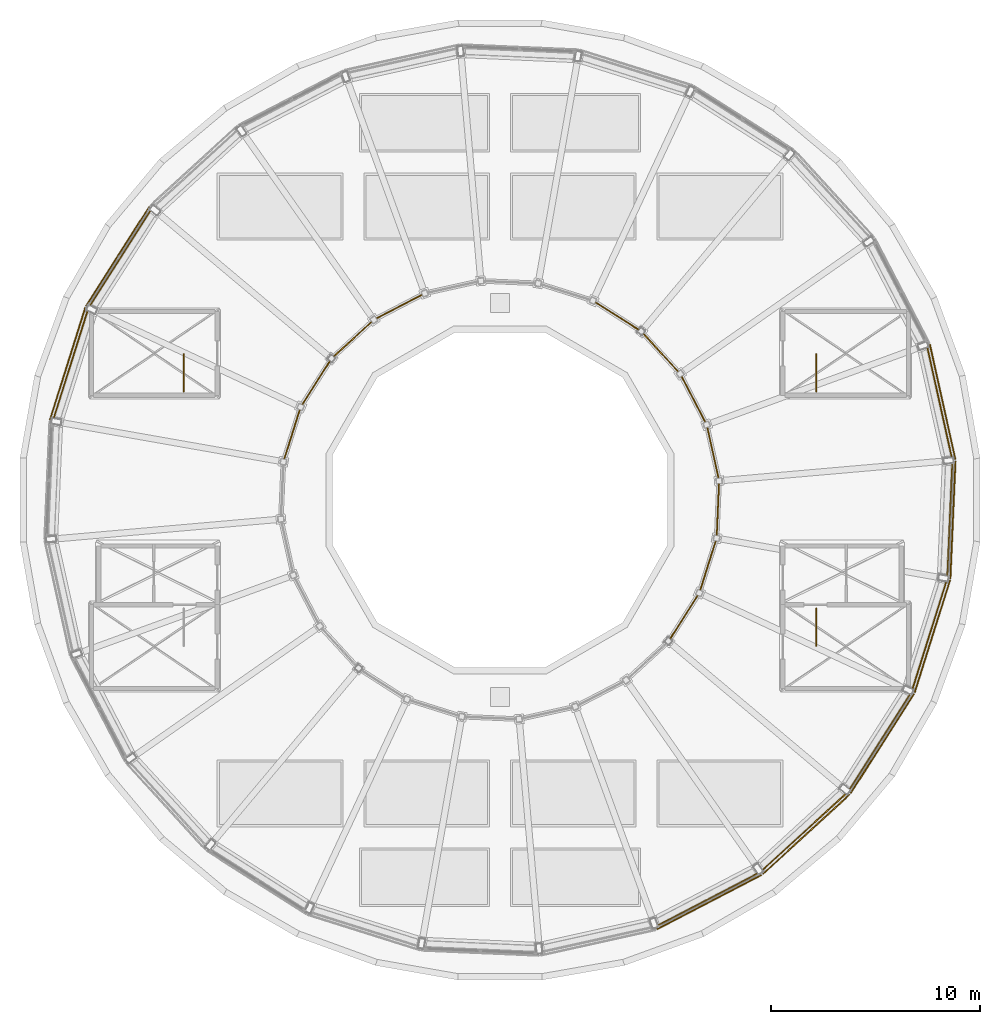
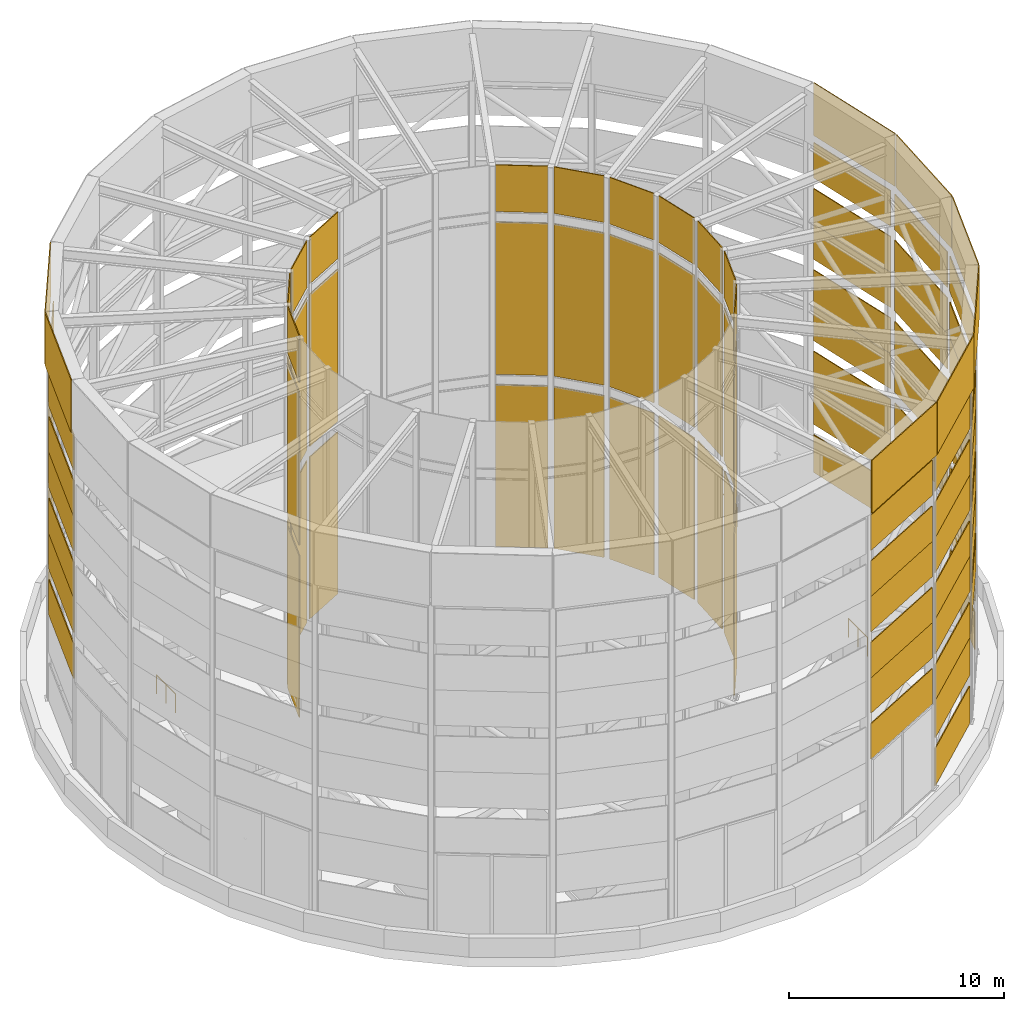
# One storey, part 18 of 20: 87 shading devices, 8 coverings, 3 railings.
"""IFC4 building model written with IfcOpenShell, lengths in metres."""

from ifc_helpers import new_model, si_unit, direction, frame, origin, origin_2d, place, context, subcontext, project, spatial, rectangle, circle, extrude, material, layer, layer_set, type_object, element, save


model = new_model("IFC4")

# Units and contexts
model_context = context("Model", 3, precision=1e-05, world=origin(), true_north=direction((0.0, 1.0)))
body_context = subcontext(model_context, "Body", "Model", "MODEL_VIEW")
ifc_project = project(units=[si_unit("LENGTHUNIT", "METRE"), si_unit("AREAUNIT", "SQUARE_METRE"), si_unit("VOLUMEUNIT", "CUBIC_METRE"), si_unit("PLANEANGLEUNIT", "RADIAN"), si_unit("MASSUNIT", "GRAM", prefix="KILO")], contexts=[model_context])

# Site, building, storey
site_placement = place(None, origin())
site = spatial("IfcSite", under=ifc_project, at=site_placement, CompositionType="ELEMENT")
building_placement = place(site_placement, origin())
building = spatial("IfcBuilding", under=site, at=building_placement, Name="Saqina Gate Tower", CompositionType="ELEMENT")
storey_placement = place(building_placement, frame((0.0, 0.0, 284.199951171875)))
storey = spatial("IfcBuildingStorey", under=building, at=storey_placement, Name="RF", CompositionType="ELEMENT", Elevation=284.199951171875)

# Coverings
ifc_material_1 = material(Name="Glazed ceramic tile", Category="ceramic")
ifc_layer_1 = layer(ifc_material_1, 0.0400390625)
ifc_layer_set_1 = layer_set([ifc_layer_1], Name="CLAD-TILE")
covering_type = type_object("IfcCoveringType", Name="CLAD-TILE", PredefinedType="CLADDING", material=ifc_layer_set_1)
for number, where, z_axis, x_axis, name in (
    (1, (21.128173828125, 4.68408203125, 19.0), (0.0, 0.0, 1.0), (-0.216439613938, 0.97629600712, 0.0), "Crown cap cladding 1"),
    (2, (-18.251953125, 11.627685546875, 19.0), (0.0, 0.0, 1.0), (-0.537299608347, -0.843391445813, 0.0), "Crown cap cladding 10"),
    (3, (-20.639404296875, 6.507568359375, 19.0), (0.0, 0.0, 1.0), (-0.300705799504, -0.953716950748, 0.0), "Crown cap cladding 11"),
    (4, (9.99267578125, -19.19580078125, 19.0), (0.0, 0.0, 1.0), (0.887010833178, 0.461748613235, 0.0), "Crown cap cladding 20"),
    (5, (14.62060546875, -15.95556640625, 19.0), (0.0, 0.0, 1.0), (0.73727733681, 0.675590207616, 0.0), "Crown cap cladding 21"),
    (6, (18.251953125, -11.627685546875, 19.0), (0.0, 0.0, 1.0), (0.537299608347, 0.843391445813, 0.0), "Crown cap cladding 22"),
    (7, (20.639404296875, -6.507568359375, 19.0), (0.0, 0.0, 1.0), (0.300705799504, 0.953716950748, 0.0), "Crown cap cladding 23"),
    (8, (21.62060546875, -0.944091796875, 19.0), (0.0, 0.0, 1.0), (0.043619387365, 0.999048221582, 0.0), "Crown cap cladding 24"),
):
    element("IfcCovering", number, at=place(storey_placement, frame(where, z_axis=z_axis, x_axis=x_axis)), inside=storey, type_object=covering_type, Name=name, PredefinedType="CLADDING", context=body_context, shape_type="SweptSolid", body=[
        extrude(rectangle(XDim=5.612548828125, YDim=0.050048828125, at=origin_2d()), origin(), (0.0, 0.0, 1.0), 3.0),
    ])

# Shading devices
ifc_material_2 = material(Name="Glazed ceramic tile", Category="ceramic")
ifc_layer_2 = layer(ifc_material_2, 0.050048828125)
ifc_layer_set_2 = layer_set([ifc_layer_2], Name="SCREEN-TILE")
shading_device_type_1 = type_object("IfcShadingDeviceType", Name="SCREEN-TILE", PredefinedType="JALOUSIE", material=ifc_layer_set_2)
shading_device_1_placement = place(storey_placement, frame((20.981689453125, 4.651611328125, 0.0), z_axis=(0.0, 0.0, 1.0), x_axis=(-0.216439613938, 0.97629600712, 0.0)))
element("IfcShadingDevice", 9, at=shading_device_1_placement, inside=storey, type_object=shading_device_type_1, Name="Crown screen O1a.1", PredefinedType="JALOUSIE", context=body_context, shape_type="SweptSolid", body=[
    extrude(rectangle(XDim=5.310546875, YDim=0.050048828125, at=origin_2d()), origin(), (0.0, 0.0, 1.0), 2.137451171875),
])
for number, where, z_axis, x_axis, name in (
    (10, (20.981689453125, 4.651611328125, 7.48779296875), (0.0, 0.0, 1.0), (-0.216439613938, 0.97629600712, 0.0), "Crown screen O2b.1"),
    (11, (20.981689453125, 4.651611328125, 9.5), (0.0, 0.0, 1.0), (-0.216439613938, 0.97629600712, 0.0), "Crown screen O3a.1"),
    (12, (20.981689453125, 4.651611328125, 16.73779296875), (0.0, 0.0, 1.0), (-0.216439613938, 0.97629600712, 0.0), "Crown screen O4b.1"),
    (13, (-18.12548828125, 11.547119140625, 4.875), (0.0, 0.0, 1.0), (-0.537299608347, -0.843391445813, 0.0), "Crown screen O2a.10"),
    (14, (-18.12548828125, 11.547119140625, 12.11279296875), (0.0, 0.0, 1.0), (-0.537299608347, -0.843391445813, 0.0), "Crown screen O3b.10"),
    (15, (-18.12548828125, 11.547119140625, 14.125), (0.0, 0.0, 1.0), (-0.537299608347, -0.843391445813, 0.0), "Crown screen O4a.10"),
    (16, (-20.496337890625, 6.46240234375, 7.48779296875), (0.0, 0.0, 1.0), (-0.300705799504, -0.953716950748, 0.0), "Crown screen O2b.11"),
    (17, (-20.496337890625, 6.46240234375, 9.5), (0.0, 0.0, 1.0), (-0.300705799504, -0.953716950748, 0.0), "Crown screen O3a.11"),
    (18, (-20.496337890625, 6.46240234375, 16.73779296875), (0.0, 0.0, 1.0), (-0.300705799504, -0.953716950748, 0.0), "Crown screen O4b.11"),
    (19, (9.923583984375, -19.062744140625, 4.875), (0.0, 0.0, 1.0), (0.887010833178, 0.461748613235, 0.0), "Crown screen O2a.20"),
    (20, (9.923583984375, -19.062744140625, 12.11279296875), (0.0, 0.0, 1.0), (0.887010833178, 0.461748613235, 0.0), "Crown screen O3b.20"),
    (21, (9.923583984375, -19.062744140625, 14.125), (0.0, 0.0, 1.0), (0.887010833178, 0.461748613235, 0.0), "Crown screen O4a.20"),
):
    element("IfcShadingDevice", number, at=place(storey_placement, frame(where, z_axis=z_axis, x_axis=x_axis)), inside=storey, type_object=shading_device_type_1, Name=name, PredefinedType="JALOUSIE", context=body_context, shape_type="SweptSolid", body=[
        extrude(rectangle(XDim=5.310546875, YDim=0.050048828125, at=origin_2d()), origin(), (0.0, 0.0, 1.0), 2.012451171875),
    ])
shading_device_2_placement = place(storey_placement, frame((14.519287109375, -15.844970703125, 0.0), z_axis=(0.0, 0.0, 1.0), x_axis=(0.73727733681, 0.675590207616, 0.0)))
element("IfcShadingDevice", 22, at=shading_device_2_placement, inside=storey, type_object=shading_device_type_1, Name="Crown screen O1a.21", PredefinedType="JALOUSIE", context=body_context, shape_type="SweptSolid", body=[
    extrude(rectangle(XDim=5.310546875, YDim=0.050048828125, at=origin_2d()), origin(), (0.0, 0.0, 1.0), 2.137451171875),
])
for number, where, z_axis, x_axis, name in (
    (23, (14.519287109375, -15.844970703125, 7.48779296875), (0.0, 0.0, 1.0), (0.73727733681, 0.675590207616, 0.0), "Crown screen O2b.21"),
    (24, (14.519287109375, -15.844970703125, 9.5), (0.0, 0.0, 1.0), (0.73727733681, 0.675590207616, 0.0), "Crown screen O3a.21"),
    (25, (14.519287109375, -15.844970703125, 16.73779296875), (0.0, 0.0, 1.0), (0.73727733681, 0.675590207616, 0.0), "Crown screen O4b.21"),
    (26, (18.12548828125, -11.547119140625, 4.875), (0.0, 0.0, 1.0), (0.537299608347, 0.843391445813, 0.0), "Crown screen O2a.22"),
    (27, (18.12548828125, -11.547119140625, 12.11279296875), (0.0, 0.0, 1.0), (0.537299608347, 0.843391445813, 0.0), "Crown screen O3b.22"),
    (28, (18.12548828125, -11.547119140625, 14.125), (0.0, 0.0, 1.0), (0.537299608347, 0.843391445813, 0.0), "Crown screen O4a.22"),
):
    element("IfcShadingDevice", number, at=place(storey_placement, frame(where, z_axis=z_axis, x_axis=x_axis)), inside=storey, type_object=shading_device_type_1, Name=name, PredefinedType="JALOUSIE", context=body_context, shape_type="SweptSolid", body=[
        extrude(rectangle(XDim=5.310546875, YDim=0.050048828125, at=origin_2d()), origin(), (0.0, 0.0, 1.0), 2.012451171875),
    ])
shading_device_3_placement = place(storey_placement, frame((20.496337890625, -6.46240234375, 0.0), z_axis=(0.0, 0.0, 1.0), x_axis=(0.300705799504, 0.953716950748, 0.0)))
element("IfcShadingDevice", 29, at=shading_device_3_placement, inside=storey, type_object=shading_device_type_1, Name="Crown screen O1a.23", PredefinedType="JALOUSIE", context=body_context, shape_type="SweptSolid", body=[
    extrude(rectangle(XDim=5.310546875, YDim=0.050048828125, at=origin_2d()), origin(), (0.0, 0.0, 1.0), 2.137451171875),
])
for number, where, z_axis, x_axis, name in (
    (30, (20.496337890625, -6.46240234375, 7.48779296875), (0.0, 0.0, 1.0), (0.300705799504, 0.953716950748, 0.0), "Crown screen O2b.23"),
    (31, (20.496337890625, -6.46240234375, 9.5), (0.0, 0.0, 1.0), (0.300705799504, 0.953716950748, 0.0), "Crown screen O3a.23"),
    (32, (20.496337890625, -6.46240234375, 16.73779296875), (0.0, 0.0, 1.0), (0.300705799504, 0.953716950748, 0.0), "Crown screen O4b.23"),
    (33, (21.470703125, -0.9375, 4.875), (0.0, 0.0, 1.0), (0.043619387365, 0.999048221582, 0.0), "Crown screen O2a.24"),
    (34, (21.470703125, -0.9375, 12.11279296875), (0.0, 0.0, 1.0), (0.043619387365, 0.999048221582, 0.0), "Crown screen O3b.24"),
    (35, (21.470703125, -0.9375, 14.125), (0.0, 0.0, 1.0), (0.043619387365, 0.999048221582, 0.0), "Crown screen O4a.24"),
):
    element("IfcShadingDevice", number, at=place(storey_placement, frame(where, z_axis=z_axis, x_axis=x_axis)), inside=storey, type_object=shading_device_type_1, Name=name, PredefinedType="JALOUSIE", context=body_context, shape_type="SweptSolid", body=[
        extrude(rectangle(XDim=5.310546875, YDim=0.050048828125, at=origin_2d()), origin(), (0.0, 0.0, 1.0), 2.012451171875),
    ])
shading_device_4_placement = place(storey_placement, frame((10.163330078125, 2.253173828125, 0.0), z_axis=(0.0, 0.0, 1.0), x_axis=(-0.216439613938, 0.97629600712, 0.0)))
element("IfcShadingDevice", 36, at=shading_device_4_placement, inside=storey, type_object=shading_device_type_1, Name="Crown screen I1.1", PredefinedType="JALOUSIE", context=body_context, shape_type="SweptSolid", body=[
    extrude(rectangle(XDim=2.439208984375, YDim=0.050048828125, at=origin_2d()), origin(), (0.0, 0.0, 1.0), 9.199951171875),
])
shading_device_5_placement = place(storey_placement, frame((10.163330078125, 2.253173828125, 9.800048828125), z_axis=(0.0, 0.0, 1.0), x_axis=(-0.216439613938, 0.97629600712, 0.0)))
element("IfcShadingDevice", 37, at=shading_device_5_placement, inside=storey, type_object=shading_device_type_1, Name="Crown screen I2.1", PredefinedType="JALOUSIE", context=body_context, shape_type="SweptSolid", body=[
    extrude(rectangle(XDim=2.439208984375, YDim=0.050048828125, at=origin_2d()), origin(), (0.0, 0.0, 1.0), 8.64990234375),
])
shading_device_6_placement = place(storey_placement, frame((10.163330078125, 2.253173828125, 19.050048828125), z_axis=(0.0, 0.0, 1.0), x_axis=(-0.216439613938, 0.97629600712, 0.0)))
element("IfcShadingDevice", 38, at=shading_device_6_placement, inside=storey, type_object=shading_device_type_1, Name="Crown screen I9.1", PredefinedType="JALOUSIE", context=body_context, shape_type="SweptSolid", body=[
    extrude(rectangle(XDim=2.439208984375, YDim=0.050048828125, at=origin_2d()), origin(), (0.0, 0.0, 1.0), 2.64990234375),
])
shading_device_7_placement = place(storey_placement, frame((9.23388671875, 4.806884765625, 0.0), z_axis=(0.0, 0.0, 1.0), x_axis=(-0.461748613235, 0.887010833178, 0.0)))
element("IfcShadingDevice", 39, at=shading_device_7_placement, inside=storey, type_object=shading_device_type_1, Name="Crown screen I1.2", PredefinedType="JALOUSIE", context=body_context, shape_type="SweptSolid", body=[
    extrude(rectangle(XDim=2.439208984375, YDim=0.050048828125, at=origin_2d()), origin(), (0.0, 0.0, 1.0), 9.199951171875),
])
shading_device_8_placement = place(storey_placement, frame((9.23388671875, 4.806884765625, 9.800048828125), z_axis=(0.0, 0.0, 1.0), x_axis=(-0.461748613235, 0.887010833178, 0.0)))
element("IfcShadingDevice", 40, at=shading_device_8_placement, inside=storey, type_object=shading_device_type_1, Name="Crown screen I2.2", PredefinedType="JALOUSIE", context=body_context, shape_type="SweptSolid", body=[
    extrude(rectangle(XDim=2.439208984375, YDim=0.050048828125, at=origin_2d()), origin(), (0.0, 0.0, 1.0), 8.64990234375),
])
shading_device_9_placement = place(storey_placement, frame((9.23388671875, 4.806884765625, 19.050048828125), z_axis=(0.0, 0.0, 1.0), x_axis=(-0.461748613235, 0.887010833178, 0.0)))
element("IfcShadingDevice", 41, at=shading_device_9_placement, inside=storey, type_object=shading_device_type_1, Name="Crown screen I9.2", PredefinedType="JALOUSIE", context=body_context, shape_type="SweptSolid", body=[
    extrude(rectangle(XDim=2.439208984375, YDim=0.050048828125, at=origin_2d()), origin(), (0.0, 0.0, 1.0), 2.64990234375),
])
shading_device_10_placement = place(storey_placement, frame((7.67529296875, 7.032958984375, 0.0), z_axis=(0.0, 0.0, 1.0), x_axis=(-0.675590207616, 0.73727733681, 0.0)))
element("IfcShadingDevice", 42, at=shading_device_10_placement, inside=storey, type_object=shading_device_type_1, Name="Crown screen I1.3", PredefinedType="JALOUSIE", context=body_context, shape_type="SweptSolid", body=[
    extrude(rectangle(XDim=2.43896484375, YDim=0.050048828125, at=origin_2d()), origin(), (0.0, 0.0, 1.0), 9.199951171875),
])
shading_device_11_placement = place(storey_placement, frame((7.67529296875, 7.032958984375, 9.800048828125), z_axis=(0.0, 0.0, 1.0), x_axis=(-0.675590207616, 0.73727733681, 0.0)))
element("IfcShadingDevice", 43, at=shading_device_11_placement, inside=storey, type_object=shading_device_type_1, Name="Crown screen I2.3", PredefinedType="JALOUSIE", context=body_context, shape_type="SweptSolid", body=[
    extrude(rectangle(XDim=2.43896484375, YDim=0.050048828125, at=origin_2d()), origin(), (0.0, 0.0, 1.0), 8.64990234375),
])
shading_device_12_placement = place(storey_placement, frame((7.67529296875, 7.032958984375, 19.050048828125), z_axis=(0.0, 0.0, 1.0), x_axis=(-0.675590207616, 0.73727733681, 0.0)))
element("IfcShadingDevice", 44, at=shading_device_12_placement, inside=storey, type_object=shading_device_type_1, Name="Crown screen I9.3", PredefinedType="JALOUSIE", context=body_context, shape_type="SweptSolid", body=[
    extrude(rectangle(XDim=2.43896484375, YDim=0.050048828125, at=origin_2d()), origin(), (0.0, 0.0, 1.0), 2.64990234375),
])
shading_device_13_placement = place(storey_placement, frame((5.593505859375, 8.77978515625, 0.0), z_axis=(0.0, 0.0, 1.0), x_axis=(-0.843391445813, 0.537299608347, 0.0)))
element("IfcShadingDevice", 45, at=shading_device_13_placement, inside=storey, type_object=shading_device_type_1, Name="Crown screen I1.4", PredefinedType="JALOUSIE", context=body_context, shape_type="SweptSolid", body=[
    extrude(rectangle(XDim=2.43896484375, YDim=0.050048828125, at=origin_2d()), origin(), (0.0, 0.0, 1.0), 9.199951171875),
])
shading_device_14_placement = place(storey_placement, frame((5.593505859375, 8.77978515625, 9.800048828125), z_axis=(0.0, 0.0, 1.0), x_axis=(-0.843391445813, 0.537299608347, 0.0)))
element("IfcShadingDevice", 46, at=shading_device_14_placement, inside=storey, type_object=shading_device_type_1, Name="Crown screen I2.4", PredefinedType="JALOUSIE", context=body_context, shape_type="SweptSolid", body=[
    extrude(rectangle(XDim=2.43896484375, YDim=0.050048828125, at=origin_2d()), origin(), (0.0, 0.0, 1.0), 8.64990234375),
])
shading_device_15_placement = place(storey_placement, frame((5.593505859375, 8.77978515625, 19.050048828125), z_axis=(0.0, 0.0, 1.0), x_axis=(-0.843391445813, 0.537299608347, 0.0)))
element("IfcShadingDevice", 47, at=shading_device_15_placement, inside=storey, type_object=shading_device_type_1, Name="Crown screen I9.4", PredefinedType="JALOUSIE", context=body_context, shape_type="SweptSolid", body=[
    extrude(rectangle(XDim=2.43896484375, YDim=0.050048828125, at=origin_2d()), origin(), (0.0, 0.0, 1.0), 2.64990234375),
])
shading_device_16_placement = place(storey_placement, frame((-4.806884765625, 9.23388671875, 0.0), z_axis=(0.0, 0.0, 1.0), x_axis=(-0.887010833178, -0.461748613235, 0.0)))
element("IfcShadingDevice", 48, at=shading_device_16_placement, inside=storey, type_object=shading_device_type_1, Name="Crown screen I1.8", PredefinedType="JALOUSIE", context=body_context, shape_type="SweptSolid", body=[
    extrude(rectangle(XDim=2.439208984375, YDim=0.050048828125, at=origin_2d()), origin(), (0.0, 0.0, 1.0), 9.199951171875),
])
shading_device_17_placement = place(storey_placement, frame((-4.806884765625, 9.23388671875, 9.800048828125), z_axis=(0.0, 0.0, 1.0), x_axis=(-0.887010833178, -0.461748613235, 0.0)))
element("IfcShadingDevice", 49, at=shading_device_17_placement, inside=storey, type_object=shading_device_type_1, Name="Crown screen I2.8", PredefinedType="JALOUSIE", context=body_context, shape_type="SweptSolid", body=[
    extrude(rectangle(XDim=2.439208984375, YDim=0.050048828125, at=origin_2d()), origin(), (0.0, 0.0, 1.0), 8.64990234375),
])
shading_device_18_placement = place(storey_placement, frame((-4.806884765625, 9.23388671875, 19.050048828125), z_axis=(0.0, 0.0, 1.0), x_axis=(-0.887010833178, -0.461748613235, 0.0)))
element("IfcShadingDevice", 50, at=shading_device_18_placement, inside=storey, type_object=shading_device_type_1, Name="Crown screen I9.8", PredefinedType="JALOUSIE", context=body_context, shape_type="SweptSolid", body=[
    extrude(rectangle(XDim=2.439208984375, YDim=0.050048828125, at=origin_2d()), origin(), (0.0, 0.0, 1.0), 2.64990234375),
])
shading_device_19_placement = place(storey_placement, frame((-7.032958984375, 7.67529296875, 0.0), z_axis=(0.0, 0.0, 1.0), x_axis=(-0.73727733681, -0.675590207616, 0.0)))
element("IfcShadingDevice", 51, at=shading_device_19_placement, inside=storey, type_object=shading_device_type_1, Name="Crown screen I1.9", PredefinedType="JALOUSIE", context=body_context, shape_type="SweptSolid", body=[
    extrude(rectangle(XDim=2.43896484375, YDim=0.050048828125, at=origin_2d()), origin(), (0.0, 0.0, 1.0), 9.199951171875),
])
shading_device_20_placement = place(storey_placement, frame((-7.032958984375, 7.67529296875, 9.800048828125), z_axis=(0.0, 0.0, 1.0), x_axis=(-0.73727733681, -0.675590207616, 0.0)))
element("IfcShadingDevice", 52, at=shading_device_20_placement, inside=storey, type_object=shading_device_type_1, Name="Crown screen I2.9", PredefinedType="JALOUSIE", context=body_context, shape_type="SweptSolid", body=[
    extrude(rectangle(XDim=2.43896484375, YDim=0.050048828125, at=origin_2d()), origin(), (0.0, 0.0, 1.0), 8.64990234375),
])
shading_device_21_placement = place(storey_placement, frame((-7.032958984375, 7.67529296875, 19.050048828125), z_axis=(0.0, 0.0, 1.0), x_axis=(-0.73727733681, -0.675590207616, 0.0)))
element("IfcShadingDevice", 53, at=shading_device_21_placement, inside=storey, type_object=shading_device_type_1, Name="Crown screen I9.9", PredefinedType="JALOUSIE", context=body_context, shape_type="SweptSolid", body=[
    extrude(rectangle(XDim=2.43896484375, YDim=0.050048828125, at=origin_2d()), origin(), (0.0, 0.0, 1.0), 2.64990234375),
])
shading_device_22_placement = place(storey_placement, frame((-8.77978515625, 5.593505859375, 0.0), z_axis=(0.0, 0.0, 1.0), x_axis=(-0.537299608347, -0.843391445813, 0.0)))
element("IfcShadingDevice", 54, at=shading_device_22_placement, inside=storey, type_object=shading_device_type_1, Name="Crown screen I1.10", PredefinedType="JALOUSIE", context=body_context, shape_type="SweptSolid", body=[
    extrude(rectangle(XDim=2.43896484375, YDim=0.050048828125, at=origin_2d()), origin(), (0.0, 0.0, 1.0), 9.199951171875),
])
shading_device_23_placement = place(storey_placement, frame((-8.77978515625, 5.593505859375, 9.800048828125), z_axis=(0.0, 0.0, 1.0), x_axis=(-0.537299608347, -0.843391445813, 0.0)))
element("IfcShadingDevice", 55, at=shading_device_23_placement, inside=storey, type_object=shading_device_type_1, Name="Crown screen I2.10", PredefinedType="JALOUSIE", context=body_context, shape_type="SweptSolid", body=[
    extrude(rectangle(XDim=2.43896484375, YDim=0.050048828125, at=origin_2d()), origin(), (0.0, 0.0, 1.0), 8.64990234375),
])
shading_device_24_placement = place(storey_placement, frame((-8.77978515625, 5.593505859375, 19.050048828125), z_axis=(0.0, 0.0, 1.0), x_axis=(-0.537299608347, -0.843391445813, 0.0)))
element("IfcShadingDevice", 56, at=shading_device_24_placement, inside=storey, type_object=shading_device_type_1, Name="Crown screen I9.10", PredefinedType="JALOUSIE", context=body_context, shape_type="SweptSolid", body=[
    extrude(rectangle(XDim=2.43896484375, YDim=0.050048828125, at=origin_2d()), origin(), (0.0, 0.0, 1.0), 2.64990234375),
])
shading_device_25_placement = place(storey_placement, frame((-9.928466796875, 3.13037109375, 0.0), z_axis=(0.0, 0.0, 1.0), x_axis=(-0.300705799504, -0.953716950748, 0.0)))
element("IfcShadingDevice", 57, at=shading_device_25_placement, inside=storey, type_object=shading_device_type_1, Name="Crown screen I1.11", PredefinedType="JALOUSIE", context=body_context, shape_type="SweptSolid", body=[
    extrude(rectangle(XDim=2.43896484375, YDim=0.050048828125, at=origin_2d()), origin(), (0.0, 0.0, 1.0), 9.199951171875),
])
shading_device_26_placement = place(storey_placement, frame((-9.928466796875, 3.13037109375, 9.800048828125), z_axis=(0.0, 0.0, 1.0), x_axis=(-0.300705799504, -0.953716950748, 0.0)))
element("IfcShadingDevice", 58, at=shading_device_26_placement, inside=storey, type_object=shading_device_type_1, Name="Crown screen I2.11", PredefinedType="JALOUSIE", context=body_context, shape_type="SweptSolid", body=[
    extrude(rectangle(XDim=2.43896484375, YDim=0.050048828125, at=origin_2d()), origin(), (0.0, 0.0, 1.0), 8.64990234375),
])
shading_device_27_placement = place(storey_placement, frame((-9.928466796875, 3.13037109375, 19.050048828125), z_axis=(0.0, 0.0, 1.0), x_axis=(-0.300705799504, -0.953716950748, 0.0)))
element("IfcShadingDevice", 59, at=shading_device_27_placement, inside=storey, type_object=shading_device_type_1, Name="Crown screen I9.11", PredefinedType="JALOUSIE", context=body_context, shape_type="SweptSolid", body=[
    extrude(rectangle(XDim=2.43896484375, YDim=0.050048828125, at=origin_2d()), origin(), (0.0, 0.0, 1.0), 2.64990234375),
])
shading_device_28_placement = place(storey_placement, frame((8.77978515625, -5.593505859375, 0.0), z_axis=(0.0, 0.0, 1.0), x_axis=(0.537299608347, 0.843391445813, 0.0)))
element("IfcShadingDevice", 60, at=shading_device_28_placement, inside=storey, type_object=shading_device_type_1, Name="Crown screen I1.22", PredefinedType="JALOUSIE", context=body_context, shape_type="SweptSolid", body=[
    extrude(rectangle(XDim=2.43896484375, YDim=0.050048828125, at=origin_2d()), origin(), (0.0, 0.0, 1.0), 9.199951171875),
])
shading_device_29_placement = place(storey_placement, frame((8.77978515625, -5.593505859375, 9.800048828125), z_axis=(0.0, 0.0, 1.0), x_axis=(0.537299608347, 0.843391445813, 0.0)))
element("IfcShadingDevice", 61, at=shading_device_29_placement, inside=storey, type_object=shading_device_type_1, Name="Crown screen I2.22", PredefinedType="JALOUSIE", context=body_context, shape_type="SweptSolid", body=[
    extrude(rectangle(XDim=2.43896484375, YDim=0.050048828125, at=origin_2d()), origin(), (0.0, 0.0, 1.0), 8.64990234375),
])
shading_device_30_placement = place(storey_placement, frame((8.77978515625, -5.593505859375, 19.050048828125), z_axis=(0.0, 0.0, 1.0), x_axis=(0.537299608347, 0.843391445813, 0.0)))
element("IfcShadingDevice", 62, at=shading_device_30_placement, inside=storey, type_object=shading_device_type_1, Name="Crown screen I9.22", PredefinedType="JALOUSIE", context=body_context, shape_type="SweptSolid", body=[
    extrude(rectangle(XDim=2.43896484375, YDim=0.050048828125, at=origin_2d()), origin(), (0.0, 0.0, 1.0), 2.64990234375),
])
shading_device_31_placement = place(storey_placement, frame((9.928466796875, -3.13037109375, 0.0), z_axis=(0.0, 0.0, 1.0), x_axis=(0.300705799504, 0.953716950748, 0.0)))
element("IfcShadingDevice", 63, at=shading_device_31_placement, inside=storey, type_object=shading_device_type_1, Name="Crown screen I1.23", PredefinedType="JALOUSIE", context=body_context, shape_type="SweptSolid", body=[
    extrude(rectangle(XDim=2.43896484375, YDim=0.050048828125, at=origin_2d()), origin(), (0.0, 0.0, 1.0), 9.199951171875),
])
shading_device_32_placement = place(storey_placement, frame((9.928466796875, -3.13037109375, 9.800048828125), z_axis=(0.0, 0.0, 1.0), x_axis=(0.300705799504, 0.953716950748, 0.0)))
element("IfcShadingDevice", 64, at=shading_device_32_placement, inside=storey, type_object=shading_device_type_1, Name="Crown screen I2.23", PredefinedType="JALOUSIE", context=body_context, shape_type="SweptSolid", body=[
    extrude(rectangle(XDim=2.43896484375, YDim=0.050048828125, at=origin_2d()), origin(), (0.0, 0.0, 1.0), 8.64990234375),
])
shading_device_33_placement = place(storey_placement, frame((9.928466796875, -3.13037109375, 19.050048828125), z_axis=(0.0, 0.0, 1.0), x_axis=(0.300705799504, 0.953716950748, 0.0)))
element("IfcShadingDevice", 65, at=shading_device_33_placement, inside=storey, type_object=shading_device_type_1, Name="Crown screen I9.23", PredefinedType="JALOUSIE", context=body_context, shape_type="SweptSolid", body=[
    extrude(rectangle(XDim=2.43896484375, YDim=0.050048828125, at=origin_2d()), origin(), (0.0, 0.0, 1.0), 2.64990234375),
])
shading_device_34_placement = place(storey_placement, frame((10.400390625, -0.4541015625, 0.0), z_axis=(0.0, 0.0, 1.0), x_axis=(0.043619387365, 0.999048221582, 0.0)))
element("IfcShadingDevice", 66, at=shading_device_34_placement, inside=storey, type_object=shading_device_type_1, Name="Crown screen I1.24", PredefinedType="JALOUSIE", context=body_context, shape_type="SweptSolid", body=[
    extrude(rectangle(XDim=2.43896484375, YDim=0.050048828125, at=origin_2d()), origin(), (0.0, 0.0, 1.0), 9.199951171875),
])
shading_device_35_placement = place(storey_placement, frame((10.400390625, -0.4541015625, 9.800048828125), z_axis=(0.0, 0.0, 1.0), x_axis=(0.043619387365, 0.999048221582, 0.0)))
element("IfcShadingDevice", 67, at=shading_device_35_placement, inside=storey, type_object=shading_device_type_1, Name="Crown screen I2.24", PredefinedType="JALOUSIE", context=body_context, shape_type="SweptSolid", body=[
    extrude(rectangle(XDim=2.43896484375, YDim=0.050048828125, at=origin_2d()), origin(), (0.0, 0.0, 1.0), 8.64990234375),
])
shading_device_36_placement = place(storey_placement, frame((10.400390625, -0.4541015625, 19.050048828125), z_axis=(0.0, 0.0, 1.0), x_axis=(0.043619387365, 0.999048221582, 0.0)))
element("IfcShadingDevice", 68, at=shading_device_36_placement, inside=storey, type_object=shading_device_type_1, Name="Crown screen I9.24", PredefinedType="JALOUSIE", context=body_context, shape_type="SweptSolid", body=[
    extrude(rectangle(XDim=2.43896484375, YDim=0.050048828125, at=origin_2d()), origin(), (0.0, 0.0, 1.0), 2.64990234375),
])
ifc_material_3 = material(Name="Glazed ceramic tile (dark blue)", Category="ceramic")
ifc_layer_3 = layer(ifc_material_3, 0.050048828125)
ifc_layer_set_3 = layer_set([ifc_layer_3], Name="SCREEN-TILE-CB")
shading_device_type_2 = type_object("IfcShadingDeviceType", Name="SCREEN-TILE-CB", PredefinedType="JALOUSIE", material=ifc_layer_set_3)
shading_device_37_placement = place(storey_placement, frame((20.981689453125, 4.651611328125, 2.73779296875), z_axis=(0.0, 0.0, 1.0), x_axis=(-0.216439613938, 0.97629600712, 0.0)))
element("IfcShadingDevice", 69, at=shading_device_37_placement, inside=storey, type_object=shading_device_type_2, Name="Crown screen O1b.1", PredefinedType="JALOUSIE", context=body_context, shape_type="SweptSolid", body=[
    extrude(rectangle(XDim=5.310546875, YDim=0.050048828125, at=origin_2d()), origin(), (0.0, 0.0, 1.0), 2.137451171875),
])
for number, where, z_axis, x_axis, name in (
    (70, (20.981689453125, 4.651611328125, 4.875), (0.0, 0.0, 1.0), (-0.216439613938, 0.97629600712, 0.0), "Crown screen O2a.1"),
    (71, (20.981689453125, 4.651611328125, 12.11279296875), (0.0, 0.0, 1.0), (-0.216439613938, 0.97629600712, 0.0), "Crown screen O3b.1"),
    (72, (20.981689453125, 4.651611328125, 14.125), (0.0, 0.0, 1.0), (-0.216439613938, 0.97629600712, 0.0), "Crown screen O4a.1"),
    (73, (-18.12548828125, 11.547119140625, 7.48779296875), (0.0, 0.0, 1.0), (-0.537299608347, -0.843391445813, 0.0), "Crown screen O2b.10"),
    (74, (-18.12548828125, 11.547119140625, 9.5), (0.0, 0.0, 1.0), (-0.537299608347, -0.843391445813, 0.0), "Crown screen O3a.10"),
    (75, (-18.12548828125, 11.547119140625, 16.73779296875), (0.0, 0.0, 1.0), (-0.537299608347, -0.843391445813, 0.0), "Crown screen O4b.10"),
    (76, (-20.496337890625, 6.46240234375, 4.875), (0.0, 0.0, 1.0), (-0.300705799504, -0.953716950748, 0.0), "Crown screen O2a.11"),
    (77, (-20.496337890625, 6.46240234375, 12.11279296875), (0.0, 0.0, 1.0), (-0.300705799504, -0.953716950748, 0.0), "Crown screen O3b.11"),
    (78, (-20.496337890625, 6.46240234375, 14.125), (0.0, 0.0, 1.0), (-0.300705799504, -0.953716950748, 0.0), "Crown screen O4a.11"),
    (79, (9.923583984375, -19.062744140625, 7.48779296875), (0.0, 0.0, 1.0), (0.887010833178, 0.461748613235, 0.0), "Crown screen O2b.20"),
    (80, (9.923583984375, -19.062744140625, 9.5), (0.0, 0.0, 1.0), (0.887010833178, 0.461748613235, 0.0), "Crown screen O3a.20"),
    (81, (9.923583984375, -19.062744140625, 16.73779296875), (0.0, 0.0, 1.0), (0.887010833178, 0.461748613235, 0.0), "Crown screen O4b.20"),
):
    element("IfcShadingDevice", number, at=place(storey_placement, frame(where, z_axis=z_axis, x_axis=x_axis)), inside=storey, type_object=shading_device_type_2, Name=name, PredefinedType="JALOUSIE", context=body_context, shape_type="SweptSolid", body=[
        extrude(rectangle(XDim=5.310546875, YDim=0.050048828125, at=origin_2d()), origin(), (0.0, 0.0, 1.0), 2.012451171875),
    ])
shading_device_38_placement = place(storey_placement, frame((14.519287109375, -15.844970703125, 2.73779296875), z_axis=(0.0, 0.0, 1.0), x_axis=(0.73727733681, 0.675590207616, 0.0)))
element("IfcShadingDevice", 82, at=shading_device_38_placement, inside=storey, type_object=shading_device_type_2, Name="Crown screen O1b.21", PredefinedType="JALOUSIE", context=body_context, shape_type="SweptSolid", body=[
    extrude(rectangle(XDim=5.310546875, YDim=0.050048828125, at=origin_2d()), origin(), (0.0, 0.0, 1.0), 2.137451171875),
])
for number, where, z_axis, x_axis, name in (
    (83, (14.519287109375, -15.844970703125, 4.875), (0.0, 0.0, 1.0), (0.73727733681, 0.675590207616, 0.0), "Crown screen O2a.21"),
    (84, (14.519287109375, -15.844970703125, 12.11279296875), (0.0, 0.0, 1.0), (0.73727733681, 0.675590207616, 0.0), "Crown screen O3b.21"),
    (85, (14.519287109375, -15.844970703125, 14.125), (0.0, 0.0, 1.0), (0.73727733681, 0.675590207616, 0.0), "Crown screen O4a.21"),
    (86, (18.12548828125, -11.547119140625, 7.48779296875), (0.0, 0.0, 1.0), (0.537299608347, 0.843391445813, 0.0), "Crown screen O2b.22"),
    (87, (18.12548828125, -11.547119140625, 9.5), (0.0, 0.0, 1.0), (0.537299608347, 0.843391445813, 0.0), "Crown screen O3a.22"),
    (88, (18.12548828125, -11.547119140625, 16.73779296875), (0.0, 0.0, 1.0), (0.537299608347, 0.843391445813, 0.0), "Crown screen O4b.22"),
):
    element("IfcShadingDevice", number, at=place(storey_placement, frame(where, z_axis=z_axis, x_axis=x_axis)), inside=storey, type_object=shading_device_type_2, Name=name, PredefinedType="JALOUSIE", context=body_context, shape_type="SweptSolid", body=[
        extrude(rectangle(XDim=5.310546875, YDim=0.050048828125, at=origin_2d()), origin(), (0.0, 0.0, 1.0), 2.012451171875),
    ])
shading_device_39_placement = place(storey_placement, frame((20.496337890625, -6.46240234375, 2.73779296875), z_axis=(0.0, 0.0, 1.0), x_axis=(0.300705799504, 0.953716950748, 0.0)))
element("IfcShadingDevice", 89, at=shading_device_39_placement, inside=storey, type_object=shading_device_type_2, Name="Crown screen O1b.23", PredefinedType="JALOUSIE", context=body_context, shape_type="SweptSolid", body=[
    extrude(rectangle(XDim=5.310546875, YDim=0.050048828125, at=origin_2d()), origin(), (0.0, 0.0, 1.0), 2.137451171875),
])
for number, where, z_axis, x_axis, name in (
    (90, (20.496337890625, -6.46240234375, 4.875), (0.0, 0.0, 1.0), (0.300705799504, 0.953716950748, 0.0), "Crown screen O2a.23"),
    (91, (20.496337890625, -6.46240234375, 12.11279296875), (0.0, 0.0, 1.0), (0.300705799504, 0.953716950748, 0.0), "Crown screen O3b.23"),
    (92, (20.496337890625, -6.46240234375, 14.125), (0.0, 0.0, 1.0), (0.300705799504, 0.953716950748, 0.0), "Crown screen O4a.23"),
    (93, (21.470703125, -0.9375, 7.48779296875), (0.0, 0.0, 1.0), (0.043619387365, 0.999048221582, 0.0), "Crown screen O2b.24"),
    (94, (21.470703125, -0.9375, 9.5), (0.0, 0.0, 1.0), (0.043619387365, 0.999048221582, 0.0), "Crown screen O3a.24"),
    (95, (21.470703125, -0.9375, 16.73779296875), (0.0, 0.0, 1.0), (0.043619387365, 0.999048221582, 0.0), "Crown screen O4b.24"),
):
    element("IfcShadingDevice", number, at=place(storey_placement, frame(where, z_axis=z_axis, x_axis=x_axis)), inside=storey, type_object=shading_device_type_2, Name=name, PredefinedType="JALOUSIE", context=body_context, shape_type="SweptSolid", body=[
        extrude(rectangle(XDim=5.310546875, YDim=0.050048828125, at=origin_2d()), origin(), (0.0, 0.0, 1.0), 2.012451171875),
    ])

# Railings
ifc_material_4 = material(Name="Stainless steel", Category="steel")
railing_type = type_object("IfcRailingType", Name="STAIR GUARD", PredefinedType="GUARDRAIL", material=ifc_material_4)
railing_1_placement = place(storey_placement, frame((15.10009765625, 5.175048828125, 0.0)))
element("IfcRailing", 96, at=railing_1_placement, inside=storey, type_object=railing_type, Name="STAIR GUARD", PredefinedType="GUARDRAIL", context=body_context, shape_type="SweptSolid", body=[
    extrude(circle(Radius=0.02392578125, at=origin_2d()), frame((0.0, 0.0, 1.076171875), z_axis=(0.0, 1.0, 0.0), x_axis=(-1.0, 0.0, 0.0)), (0.0, 0.0, 1.0), 1.787353515625),
    extrude(circle(Radius=0.02099609375, at=origin_2d()), origin(), (0.0, 0.0, 1.0), 1.052001953125),
    extrude(circle(Radius=0.02099609375, at=origin_2d()), frame((0.0, 0.8935546875, 0.0)), (0.0, 0.0, 1.0), 1.052001953125),
    extrude(circle(Radius=0.02099609375, at=origin_2d()), frame((0.0, 1.787353515625, 0.0)), (0.0, 0.0, 1.0), 1.052001953125),
])
railing_2_placement = place(storey_placement, frame((15.10009765625, -5.175048828125, 0.0)))
element("IfcRailing", 97, at=railing_2_placement, inside=storey, type_object=railing_type, Name="STAIR GUARD", PredefinedType="GUARDRAIL", context=body_context, shape_type="SweptSolid", body=[
    extrude(circle(Radius=0.02392578125, at=origin_2d()), frame((0.0, 0.0, 1.076171875), z_axis=(0.0, -1.0, 0.0), x_axis=(1.0, 0.0, 0.0)), (0.0, 0.0, 1.0), 1.787353515625),
    extrude(circle(Radius=0.02099609375, at=origin_2d()), origin(), (0.0, 0.0, 1.0), 1.052001953125),
    extrude(circle(Radius=0.02099609375, at=origin_2d()), frame((0.0, -0.8935546875, 0.0)), (0.0, 0.0, 1.0), 1.052001953125),
    extrude(circle(Radius=0.02099609375, at=origin_2d()), frame((0.0, -1.787353515625, 0.0)), (0.0, 0.0, 1.0), 1.052001953125),
])
railing_3_placement = place(storey_placement, frame((-15.10009765625, 5.175048828125, 0.0)))
element("IfcRailing", 98, at=railing_3_placement, inside=storey, type_object=railing_type, Name="STAIR GUARD", PredefinedType="GUARDRAIL", context=body_context, shape_type="SweptSolid", body=[
    extrude(circle(Radius=0.02392578125, at=origin_2d()), frame((0.0, 0.0, 1.076171875), z_axis=(0.0, 1.0, 0.0), x_axis=(-1.0, 0.0, 0.0)), (0.0, 0.0, 1.0), 1.787353515625),
    extrude(circle(Radius=0.02099609375, at=origin_2d()), origin(), (0.0, 0.0, 1.0), 1.052001953125),
    extrude(circle(Radius=0.02099609375, at=origin_2d()), frame((0.0, 0.8935546875, 0.0)), (0.0, 0.0, 1.0), 1.052001953125),
    extrude(circle(Radius=0.02099609375, at=origin_2d()), frame((0.0, 1.787353515625, 0.0)), (0.0, 0.0, 1.0), 1.052001953125),
])

save(model, "model.ifc")
